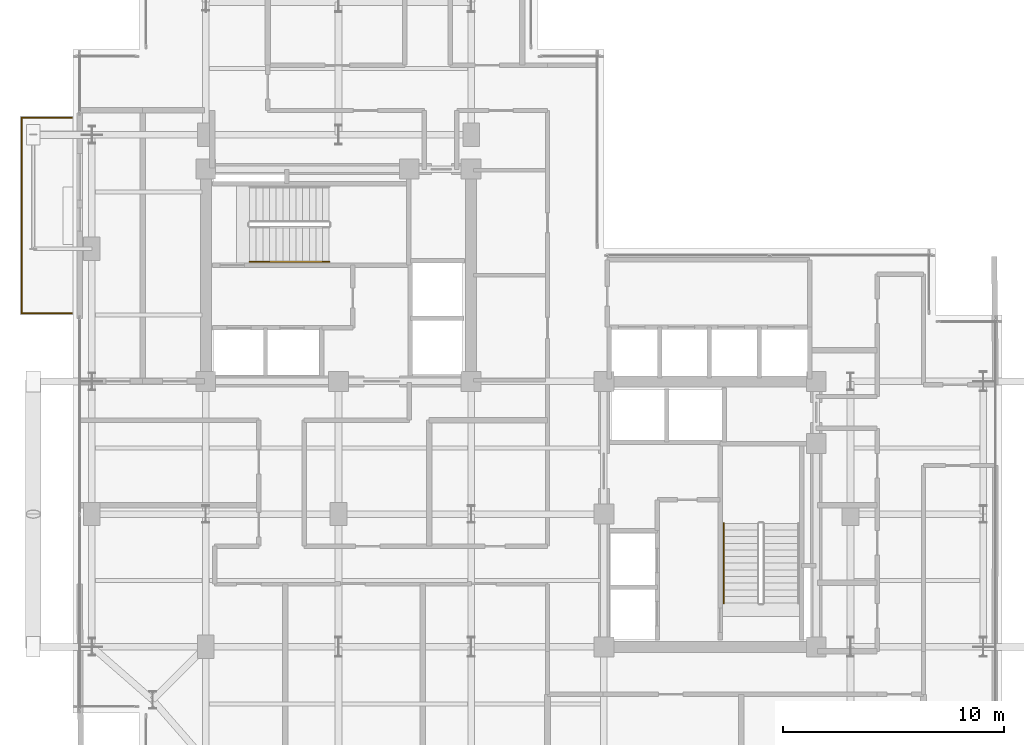
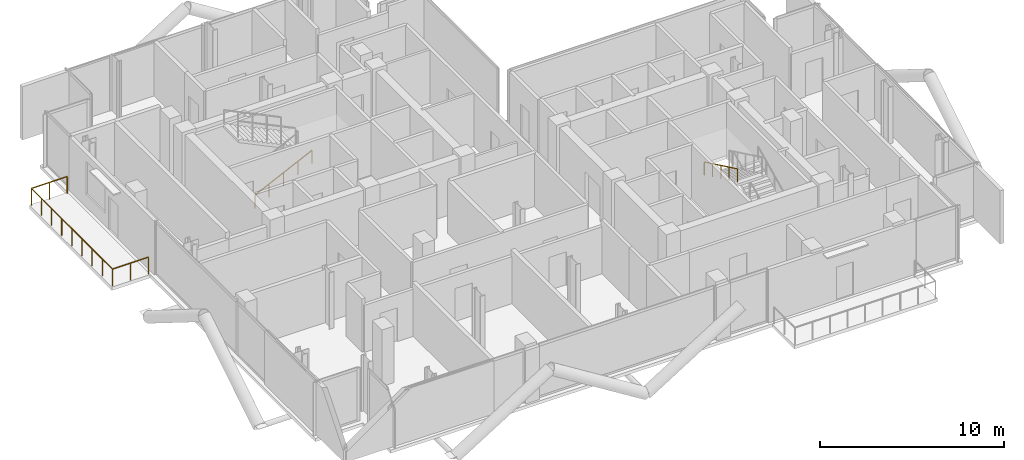
# One storey, part 24 of 26: 3 railings.
"""IFC4 building model written with IfcOpenShell, lengths in metres."""

from ifc_helpers import new_model, si_unit, direction, frame, origin, origin_2d, place, context, subcontext, project, spatial, rectangle, extrude, material, type_object, element, save


model = new_model("IFC4")

# Units and contexts
model_context = context("Model", 3, precision=1e-05, world=origin(), true_north=direction((0.0, 1.0)))
body_context = subcontext(model_context, "Body", "Model", "MODEL_VIEW")
ifc_project = project(units=[si_unit("LENGTHUNIT", "METRE"), si_unit("AREAUNIT", "SQUARE_METRE"), si_unit("VOLUMEUNIT", "CUBIC_METRE"), si_unit("PLANEANGLEUNIT", "RADIAN"), si_unit("MASSUNIT", "GRAM", prefix="KILO"), si_unit("THERMODYNAMICTEMPERATUREUNIT", "KELVIN"), si_unit("POWERUNIT", "WATT")], contexts=[model_context])

# Site, building, storey
site_placement = place(None, origin())
site = spatial("IfcSite", under=ifc_project, at=site_placement, CompositionType="ELEMENT")
building_placement = place(site_placement, origin())
building = spatial("IfcBuilding", under=site, at=building_placement, Name="Svarakhadi Broadcast Tower", CompositionType="ELEMENT")
storey_placement = place(building_placement, frame((0.0, 0.0, 180.449951171875)))
storey = spatial("IfcBuildingStorey", under=building, at=storey_placement, Name="L44", CompositionType="ELEMENT", Elevation=180.449951171875)

# Railings
ifc_material_1 = material(Name="Laminated Structural SentryGlas Balustrade 25.5 mm", Category="glass")
railing_type_1 = type_object("IfcRailingType", Name="Guard_Balcony_GR01", PredefinedType="BALUSTRADE", material=ifc_material_1)
railing_1_placement = place(storey_placement, frame((-0.06005859375, 21.080078125, 0.0)))
element("IfcRailing", 1, at=railing_1_placement, inside=storey, type_object=railing_type_1, Name="L44 West Tree Balcony Guard GR-05", PredefinedType="BALUSTRADE", context=body_context, shape_type="SweptSolid", body=[
    extrude(rectangle(XDim=0.048095703125, YDim=0.048095703125, at=origin_2d()), frame((0.0, 0.0, 1.1259765625), z_axis=(-1.0, 0.0, 0.0), x_axis=(0.0, -1.0, 0.0)), (0.0, 0.0, 1.0), 2.260009765625),
    extrude(rectangle(XDim=0.048095703125, YDim=0.048095703125, at=origin_2d()), frame((-2.260009765625, 0.0, 1.1259765625), z_axis=(0.0, 1.0, 0.0), x_axis=(-1.0, 0.0, 0.0)), (0.0, 0.0, 1.0), 8.83984375),
    extrude(rectangle(XDim=0.048095703125, YDim=0.048095703125, at=origin_2d()), frame((-2.260009765625, 8.83984375, 1.1259765625), z_axis=(1.0, 0.0, 0.0), x_axis=(0.0, 1.0, 0.0)), (0.0, 0.0, 1.0), 2.260009765625),
    extrude(rectangle(XDim=0.0419921875, YDim=0.0419921875, at=origin_2d()), origin(), (0.0, 0.0, 1.0), 1.101806640625),
    extrude(rectangle(XDim=0.0419921875, YDim=0.0419921875, at=origin_2d()), frame((-1.1298828125, 0.0, 0.0)), (0.0, 0.0, 1.0), 1.101806640625),
    extrude(rectangle(XDim=0.0419921875, YDim=0.0419921875, at=origin_2d()), frame((-2.260009765625, 0.0, 0.0)), (0.0, 0.0, 1.0), 1.101806640625),
    extrude(rectangle(XDim=0.0419921875, YDim=0.0419921875, at=origin_2d()), frame((-2.260009765625, 1.10498046875, 0.0)), (0.0, 0.0, 1.0), 1.101806640625),
    extrude(rectangle(XDim=0.0419921875, YDim=0.0419921875, at=origin_2d()), frame((-2.260009765625, 2.2099609375, 0.0)), (0.0, 0.0, 1.0), 1.101806640625),
    extrude(rectangle(XDim=0.0419921875, YDim=0.0419921875, at=origin_2d()), frame((-2.260009765625, 3.31494140625, 0.0)), (0.0, 0.0, 1.0), 1.101806640625),
    extrude(rectangle(XDim=0.0419921875, YDim=0.0419921875, at=origin_2d()), frame((-2.260009765625, 4.419921875, 0.0)), (0.0, 0.0, 1.0), 1.101806640625),
    extrude(rectangle(XDim=0.0419921875, YDim=0.0419921875, at=origin_2d()), frame((-2.260009765625, 5.52490234375, 0.0)), (0.0, 0.0, 1.0), 1.101806640625),
    extrude(rectangle(XDim=0.0419921875, YDim=0.0419921875, at=origin_2d()), frame((-2.260009765625, 6.6298828125, 0.0)), (0.0, 0.0, 1.0), 1.101806640625),
    extrude(rectangle(XDim=0.0419921875, YDim=0.0419921875, at=origin_2d()), frame((-2.260009765625, 7.73486328125, 0.0)), (0.0, 0.0, 1.0), 1.101806640625),
    extrude(rectangle(XDim=0.0419921875, YDim=0.0419921875, at=origin_2d()), frame((-2.260009765625, 8.83984375, 0.0)), (0.0, 0.0, 1.0), 1.101806640625),
    extrude(rectangle(XDim=0.0419921875, YDim=0.0419921875, at=origin_2d()), frame((-1.1298828125, 8.83984375, 0.0)), (0.0, 0.0, 1.0), 1.101806640625),
    extrude(rectangle(XDim=0.0419921875, YDim=0.0419921875, at=origin_2d()), frame((0.0, 8.83984375, 0.0)), (0.0, 0.0, 1.0), 1.101806640625),
])
ifc_material_2 = material(Name="Anodised Bronze Aluminium AA 6063-T6", Category="aluminium")
railing_type_2 = type_object("IfcRailingType", Name="Handrail_Stair_HR01", PredefinedType="HANDRAIL", material=ifc_material_2)
railing_2_placement = place(storey_placement, frame((7.97998046875, 23.409912109375, 0.144287109375)))
element("IfcRailing", 2, at=railing_2_placement, inside=storey, type_object=railing_type_2, Name="L44 ST-01 stair handrail 1", PredefinedType="HANDRAIL", context=body_context, shape_type="SweptSolid", body=[
    extrude(rectangle(XDim=0.048095703125, YDim=0.048095703125, at=origin_2d()), frame((0.0, 0.0, 0.8759765625), z_axis=(0.901262522062, 0.0, 0.433273431364), x_axis=(0.0, 1.0, 0.0)), (0.0, 0.0, 1.0), 3.994384765625),
    extrude(rectangle(XDim=0.0419921875, YDim=0.0419921875, at=origin_2d()), origin(), (0.0, 0.0, 1.0), 0.851806640625),
    extrude(rectangle(XDim=0.0419921875, YDim=0.0419921875, at=origin_2d()), frame((0.89990234375, 0.0, 0.4326171875)), (0.0, 0.0, 1.0), 0.851806640625),
    extrude(rectangle(XDim=0.0419921875, YDim=0.0419921875, at=origin_2d()), frame((1.800048828125, 0.0, 0.865234375)), (0.0, 0.0, 1.0), 0.851806640625),
    extrude(rectangle(XDim=0.0419921875, YDim=0.0419921875, at=origin_2d()), frame((2.7001953125, 0.0, 1.298095703125)), (0.0, 0.0, 1.0), 0.851806640625),
    extrude(rectangle(XDim=0.0419921875, YDim=0.0419921875, at=origin_2d()), frame((3.60009765625, 0.0, 1.730712890625)), (0.0, 0.0, 1.0), 0.851806640625),
])
railing_3_placement = place(storey_placement, frame((29.409912109375, 11.580078125, 2.019287109375)))
element("IfcRailing", 3, at=railing_3_placement, inside=storey, type_object=railing_type_2, Name="L44 ST-02 stair handrail 2", PredefinedType="HANDRAIL", context=body_context, shape_type="SweptSolid", body=[
    extrude(rectangle(XDim=0.048095703125, YDim=0.048095703125, at=origin_2d()), frame((0.0, 0.0, 0.8759765625), z_axis=(0.0, -0.901262522062, 0.433273431364), x_axis=(1.0, 0.0, 0.0)), (0.0, 0.0, 1.0), 3.994384765625),
    extrude(rectangle(XDim=0.0419921875, YDim=0.0419921875, at=origin_2d()), origin(), (0.0, 0.0, 1.0), 0.851806640625),
    extrude(rectangle(XDim=0.0419921875, YDim=0.0419921875, at=origin_2d()), frame((0.0, -0.89990234375, 0.4326171875)), (0.0, 0.0, 1.0), 0.851806640625),
    extrude(rectangle(XDim=0.0419921875, YDim=0.0419921875, at=origin_2d()), frame((0.0, -1.800048828125, 0.865234375)), (0.0, 0.0, 1.0), 0.851806640625),
    extrude(rectangle(XDim=0.0419921875, YDim=0.0419921875, at=origin_2d()), frame((0.0, -2.7001953125, 1.298095703125)), (0.0, 0.0, 1.0), 0.851806640625),
    extrude(rectangle(XDim=0.0419921875, YDim=0.0419921875, at=origin_2d()), frame((0.0, -3.60009765625, 1.730712890625)), (0.0, 0.0, 1.0), 0.851806640625),
])

save(model, "model.ifc")
